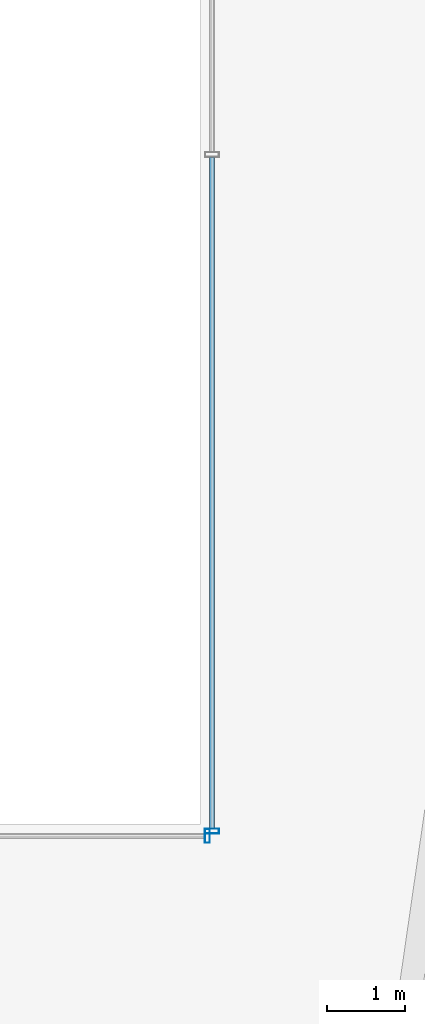
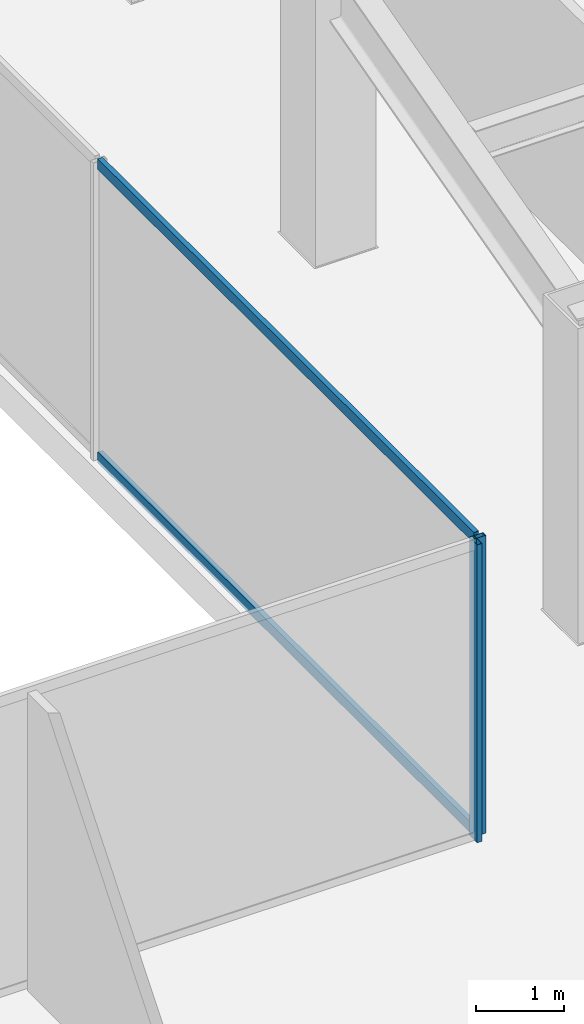
# One storey, part 18 of 49: 4 members, 2 elements without a shape of their own.
"""IFC4 building model written with IfcOpenShell, lengths in metres."""

from ifc_helpers import new_model, si_unit, direction, frame, origin, origin_2d, place, context, subcontext, project, spatial, hollow_rectangle, extrude, material, material_profile, profile_set, type_object, element, aggregate, save


model = new_model("IFC4")

# Units and contexts
model_context = context("Model", 3, precision=1e-05, world=origin(), true_north=direction((0.0, 1.0)))
body_context = subcontext(model_context, "Body", "Model", "MODEL_VIEW")
ifc_project = project(units=[si_unit("LENGTHUNIT", "METRE"), si_unit("AREAUNIT", "SQUARE_METRE"), si_unit("VOLUMEUNIT", "CUBIC_METRE"), si_unit("PLANEANGLEUNIT", "RADIAN"), si_unit("MASSUNIT", "GRAM", prefix="KILO")], contexts=[model_context])

# Site, building, storey
site_placement = place(None, origin())
site = spatial("IfcSite", under=ifc_project, at=site_placement, CompositionType="ELEMENT")
building_placement = place(site_placement, origin())
building = spatial("IfcBuilding", under=site, at=building_placement, Name="Saevonmaru Cultural Tower", CompositionType="ELEMENT")
storey_placement = place(building_placement, frame((0.0, 0.0, 38.39990234375)))
storey = spatial("IfcBuildingStorey", under=building, at=storey_placement, Name="L07", CompositionType="ELEMENT", Elevation=38.39990234375)

# Curtain wall, member
ifc_material = material(Name="Satin Bronze Anodised Aluminium", Category="aluminium")
curtain_wall_type = type_object("IfcCurtainWallType", Name="CW-ATR-GLZ", PredefinedType="NOTDEFINED", material=ifc_material)
curtain_wall_1_placement = place(storey_placement, origin())
curtain_wall_1 = element("IfcCurtainWall", 1, at=curtain_wall_1_placement, inside=storey, type_object=curtain_wall_type, Name="L07 Vertical Atrium Glazed Smoke Screen 1", PredefinedType="NOTDEFINED")
ifc_material_profile_1 = material_profile(ifc_material, hollow_rectangle(XDim=0.06494140625, YDim=0.179931640625, WallThickness=0.00390625, at=origin_2d()), Name="ALU-MULL-180x65x4")
ifc_profile_set_1 = profile_set([ifc_material_profile_1], Name="Satin Bronze Anodised Aluminium")
member_type_1 = type_object("IfcMemberType", Name="ML-CW-INT-180x65", PredefinedType="MULLION", material=ifc_profile_set_1)
member_1_placement = place(storey_placement, frame((35.889892578125, 20.85009765625, 0.0), z_axis=(0.0, 0.0, 1.0), x_axis=(1.0, 0.0, 0.0)))
member_1 = element("IfcMember", 2, at=member_1_placement, type_object=member_type_1, Name="CW-ATR-L07-1 mullion 2", PredefinedType="MULLION", context=body_context, shape_type="SweptSolid", body=[
    extrude(hollow_rectangle(XDim=0.06494140625, YDim=0.179931640625, WallThickness=0.00390625, at=origin_2d()), origin(), (0.0, 0.0, 1.0), 4.150146484375),
])
aggregate(curtain_wall_1, [member_1])

# Curtain wall, members
curtain_wall_2_placement = place(storey_placement, origin())
curtain_wall_2 = element("IfcCurtainWall", 3, at=curtain_wall_2_placement, inside=storey, type_object=curtain_wall_type, Name="L07 Vertical Atrium Glazed Smoke Screen 2", PredefinedType="NOTDEFINED")
member_2_placement = place(storey_placement, frame((35.949951171875, 20.909912109375, 0.0), z_axis=(0.0, 0.0, 1.0), x_axis=(0.0, 1.0, 0.0)))
member_2 = element("IfcMember", 4, at=member_2_placement, type_object=member_type_1, Name="CW-ATR-L07-2 mullion 1", PredefinedType="MULLION", context=body_context, shape_type="SweptSolid", body=[
    extrude(hollow_rectangle(XDim=0.06494140625, YDim=0.179931640625, WallThickness=0.00390625, at=origin_2d()), origin(), (0.0, 0.0, 1.0), 4.150146484375),
])
ifc_material_profile_2 = material_profile(ifc_material, hollow_rectangle(XDim=0.06494140625, YDim=0.14990234375, WallThickness=0.00390625, at=origin_2d()), Name="ALU-TRAN-150x65x4")
ifc_profile_set_2 = profile_set([ifc_material_profile_2], Name="Satin Bronze Anodised Aluminium")
member_type_2 = type_object("IfcMemberType", Name="TR-CW-INT-150x65", PredefinedType="USERDEFINED", material=ifc_profile_set_2)
member_3_placement = place(storey_placement, frame((35.949951171875, 20.9423828125, 0.03271484375), z_axis=(0.0, 1.0, 0.0), x_axis=(-1.0, 0.0, 0.0)))
member_3 = element("IfcMember", 5, at=member_3_placement, type_object=member_type_2, Name="CW-ATR-L07-2 transom 1.1", ObjectType="TRANSOM", PredefinedType="USERDEFINED", context=body_context, shape_type="SweptSolid", body=[
    extrude(hollow_rectangle(XDim=0.06494140625, YDim=0.14990234375, WallThickness=0.00390625, at=origin_2d()), origin(), (0.0, 0.0, 1.0), 8.585205078125),
])
member_4_placement = place(storey_placement, frame((35.949951171875, 20.9423828125, 4.11767578125), z_axis=(0.0, 1.0, 0.0), x_axis=(-1.0, 0.0, 0.0)))
member_4 = element("IfcMember", 6, at=member_4_placement, type_object=member_type_2, Name="CW-ATR-L07-2 transom 1.2", ObjectType="TRANSOM", PredefinedType="USERDEFINED", context=body_context, shape_type="SweptSolid", body=[
    extrude(hollow_rectangle(XDim=0.06494140625, YDim=0.14990234375, WallThickness=0.00390625, at=origin_2d()), origin(), (0.0, 0.0, 1.0), 8.585205078125),
])
aggregate(curtain_wall_2, [member_2, member_3, member_4])

save(model, "model.ifc")
